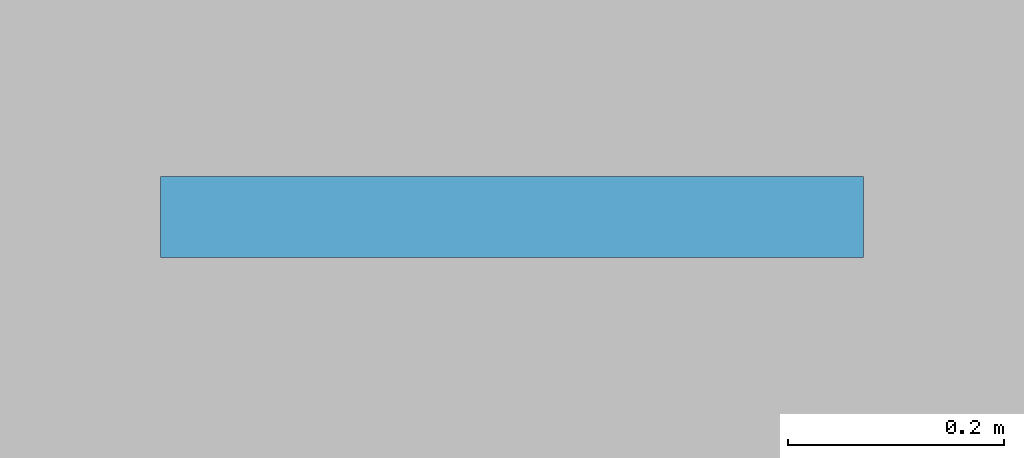
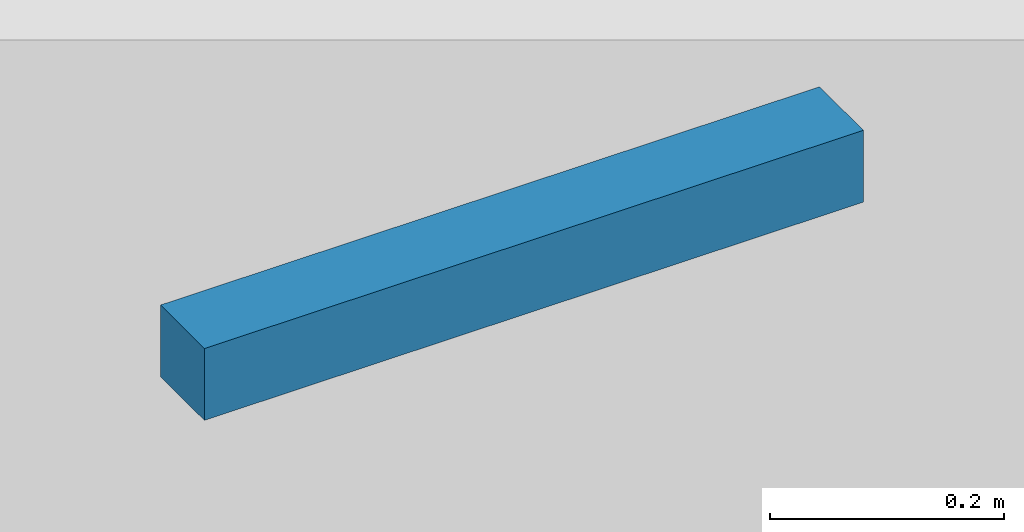
# One storey, part 98 of 139: 1 discrete accessory.
"""IFC4 building model written with IfcOpenShell, lengths in metres."""

from ifc_helpers import new_model, si_unit, direction, frame, origin, origin_2d, place, context, subcontext, project, spatial, rectangle, extrude, material, material_profile, profile_set, type_object, element, save


model = new_model("IFC4")

# Units and contexts
model_context = context("Model", 3, precision=1e-05, world=origin(), true_north=direction((0.0, 1.0)))
body_context = subcontext(model_context, "Body", "Model", "MODEL_VIEW")
ifc_project = project(units=[si_unit("LENGTHUNIT", "METRE"), si_unit("AREAUNIT", "SQUARE_METRE"), si_unit("VOLUMEUNIT", "CUBIC_METRE"), si_unit("PLANEANGLEUNIT", "RADIAN"), si_unit("MASSUNIT", "GRAM", prefix="KILO")], contexts=[model_context])

# Site, building, storey
site_placement = place(None, origin())
site = spatial("IfcSite", under=ifc_project, at=site_placement, CompositionType="ELEMENT")
building_placement = place(site_placement, origin())
building = spatial("IfcBuilding", under=site, at=building_placement, Name="Verrick Yard Athletic Hall", CompositionType="ELEMENT")
storey_placement = place(building_placement, origin())
storey = spatial("IfcBuildingStorey", under=building, at=storey_placement, Name="L00", CompositionType="ELEMENT", Elevation=0.0)

# Discrete accessory
ifc_material = material(Name="Structural steel 350W (CSA G40.21)", Category="steel")
ifc_material_profile = material_profile(ifc_material, rectangle(XDim=0.074951171875, YDim=0.074951171875, at=origin_2d()), Name="STR Slip dowel SD1")
ifc_profile_set = profile_set([ifc_material_profile], Name="Structural steel 350W (CSA G40.21)")
discrete_accessory_type = type_object("IfcDiscreteAccessoryType", Name="STR Slip dowel SD1", PredefinedType="BRACKET", material=ifc_profile_set)
discrete_accessory_placement = place(storey_placement, frame((73.27490234375, 19.699951171875, 4.02490234375), z_axis=(1.0, 0.0, 0.0), x_axis=(0.0, 1.0, 0.0)))
element("IfcDiscreteAccessory", 1, at=discrete_accessory_placement, inside=storey, type_object=discrete_accessory_type, Name="Slip dowel J1-1 L01", PredefinedType="BRACKET", context=body_context, shape_type="SweptSolid", body=[
    extrude(rectangle(XDim=0.074951171875, YDim=0.074951171875, at=origin_2d()), origin(), (0.0, 0.0, 1.0), 0.650146484375),
])

save(model, "model.ifc")
